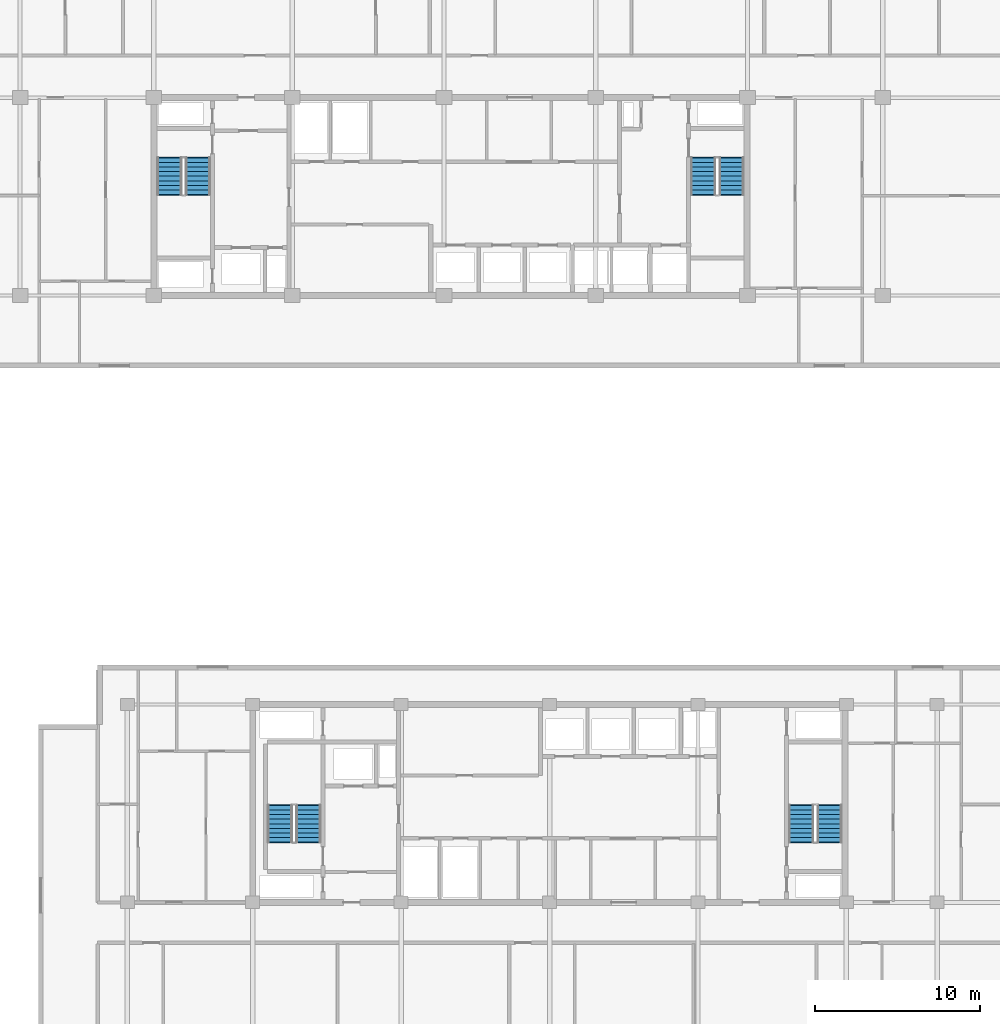
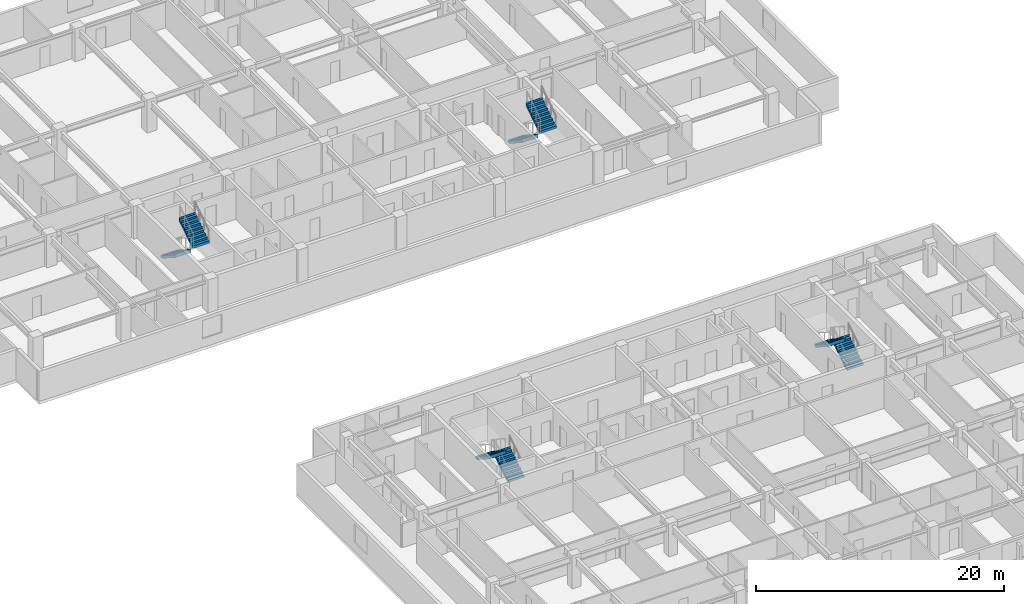
# One storey, part 17 of 22: 8 stair flights, 4 elements without a shape of their own.
"""IFC4 building model written with IfcOpenShell, lengths in metres."""

from ifc_helpers import new_model, si_unit, direction, frame, origin, place, context, subcontext, project, spatial, polyline, outline, extrude, material, type_object, element, aggregate, save


model = new_model("IFC4")

# Units and contexts
model_context = context("Model", 3, precision=1e-05, world=origin(), true_north=direction((0.0, 1.0)))
body_context = subcontext(model_context, "Body", "Model", "MODEL_VIEW")
ifc_project = project(units=[si_unit("LENGTHUNIT", "METRE"), si_unit("AREAUNIT", "SQUARE_METRE"), si_unit("VOLUMEUNIT", "CUBIC_METRE"), si_unit("PLANEANGLEUNIT", "RADIAN"), si_unit("MASSUNIT", "GRAM", prefix="KILO")], contexts=[model_context])

# Site, building, storey
site_placement = place(None, origin())
site = spatial("IfcSite", under=ifc_project, at=site_placement, CompositionType="ELEMENT")
building_placement = place(site_placement, origin())
building = spatial("IfcBuilding", under=site, at=building_placement, Name="Korimba Cascade Residences", CompositionType="ELEMENT")
storey_placement = place(building_placement, frame((0.0, 0.0, 126.300048828125)))
storey = spatial("IfcBuildingStorey", under=building, at=storey_placement, Name="L36", CompositionType="ELEMENT", Elevation=126.300048828125)

# Stair, stair flights
ifc_material = material(Name="Concrete C50/60", Category="concrete")
stair_type_1 = type_object("IfcStairType", Name="STR-W1-18R-1806", PredefinedType="HALF_TURN_STAIR", material=ifc_material)
stair_1_placement = place(storey_placement, origin())
stair_1 = element("IfcStair", 1, at=stair_1_placement, inside=storey, type_object=stair_type_1, Name="L36 Tower 1 West Fire Stair ST-W1", PredefinedType="HALF_TURN_STAIR")
stair_flight_type = type_object("IfcStairFlightType", Name="STF-DL-18R-1806-1520", PredefinedType="STRAIGHT", material=ifc_material)
stair_flight_1_placement = place(storey_placement, frame((77.06005859375, 63.550048828125, 0.0), z_axis=(0.0, 0.0, 1.0), x_axis=(0.0, -1.0, 0.0)))
stair_flight_1 = element("IfcStairFlight", 2, at=stair_flight_1_placement, type_object=stair_flight_type, Name="ST-W1 flight 1", NumberOfRisers=9, NumberOfTreads=8, PredefinedType="STRAIGHT", RiserHeight=0.180555556, TreadLength=0.28, context=body_context, shape_type="SweptSolid", body=[
    extrude(outline(polyline([(-0.0380859375, 0.0), (0.0, 0.1806640625), (0.280029296875, 0.1806640625), (0.280029296875, 0.361083984375), (0.56005859375, 0.361083984375), (0.56005859375, 0.541748046875), (0.840087890625, 0.541748046875), (0.840087890625, 0.72216796875), (1.1201171875, 0.72216796875), (1.1201171875, 0.90283203125), (1.39990234375, 0.90283203125), (1.39990234375, 1.083251953125), (1.679931640625, 1.083251953125), (1.679931640625, 1.263916015625), (1.9599609375, 1.263916015625), (1.9599609375, 1.4443359375), (2.239990234375, 1.4443359375), (2.239990234375, 1.625), (2.278076171875, 1.625), (2.278076171875, 1.26611328125), (0.276611328125, 0.0), (0.276611328125, -0.0380859375), (-0.0380859375, -0.0380859375), (-0.0380859375, 0.0)])), frame((0.0, 0.760009765625, 0.0), z_axis=(0.0, -1.0, 0.0), x_axis=(1.0, 0.0, 0.0)), (0.0, 0.0, 1.0), 1.52001953125),
])
stair_flight_2_placement = place(storey_placement, frame((78.780029296875, 61.31005859375, 1.625), z_axis=(0.0, 0.0, 1.0), x_axis=(0.0, 1.0, 0.0)))
stair_flight_2 = element("IfcStairFlight", 3, at=stair_flight_2_placement, type_object=stair_flight_type, Name="ST-W1 flight 2", NumberOfRisers=9, NumberOfTreads=8, PredefinedType="STRAIGHT", RiserHeight=0.180555556, TreadLength=0.28, context=body_context, shape_type="SweptSolid", body=[
    extrude(outline(polyline([(-0.0380859375, 0.0), (0.0, 0.1806640625), (0.280029296875, 0.1806640625), (0.280029296875, 0.361083984375), (0.56005859375, 0.361083984375), (0.56005859375, 0.541748046875), (0.840087890625, 0.541748046875), (0.840087890625, 0.72216796875), (1.1201171875, 0.72216796875), (1.1201171875, 0.90283203125), (1.39990234375, 0.90283203125), (1.39990234375, 1.083251953125), (1.679931640625, 1.083251953125), (1.679931640625, 1.263916015625), (1.9599609375, 1.263916015625), (1.9599609375, 1.4443359375), (2.239990234375, 1.4443359375), (2.239990234375, 1.625), (2.278076171875, 1.625), (2.278076171875, 1.26611328125), (0.276611328125, 0.0), (0.276611328125, -0.0380859375), (-0.0380859375, -0.0380859375), (-0.0380859375, 0.0)])), frame((0.0, 0.760009765625, 0.0), z_axis=(0.0, -1.0, 0.0), x_axis=(1.0, 0.0, 0.0)), (0.0, 0.0, 1.0), 1.52001953125),
])
aggregate(stair_1, [stair_flight_1, stair_flight_2])

stair_type_2 = type_object("IfcStairType", Name="STR-W2-18R-1806", PredefinedType="HALF_TURN_STAIR", material=ifc_material)
stair_2_placement = place(storey_placement, origin())
stair_2 = element("IfcStair", 4, at=stair_2_placement, inside=storey, type_object=stair_type_2, Name="L36 Tower 1 East Fire Stair ST-W2", PredefinedType="HALF_TURN_STAIR")
stair_flight_3_placement = place(storey_placement, frame((109.419921875, 63.550048828125, 0.0), z_axis=(0.0, 0.0, 1.0), x_axis=(0.0, -1.0, 0.0)))
stair_flight_3 = element("IfcStairFlight", 5, at=stair_flight_3_placement, type_object=stair_flight_type, Name="ST-W2 flight 1", NumberOfRisers=9, NumberOfTreads=8, PredefinedType="STRAIGHT", RiserHeight=0.180555556, TreadLength=0.28, context=body_context, shape_type="SweptSolid", body=[
    extrude(outline(polyline([(-0.0380859375, 0.0), (0.0, 0.1806640625), (0.280029296875, 0.1806640625), (0.280029296875, 0.361083984375), (0.56005859375, 0.361083984375), (0.56005859375, 0.541748046875), (0.840087890625, 0.541748046875), (0.840087890625, 0.72216796875), (1.1201171875, 0.72216796875), (1.1201171875, 0.90283203125), (1.39990234375, 0.90283203125), (1.39990234375, 1.083251953125), (1.679931640625, 1.083251953125), (1.679931640625, 1.263916015625), (1.9599609375, 1.263916015625), (1.9599609375, 1.4443359375), (2.239990234375, 1.4443359375), (2.239990234375, 1.625), (2.278076171875, 1.625), (2.278076171875, 1.26611328125), (0.276611328125, 0.0), (0.276611328125, -0.0380859375), (-0.0380859375, -0.0380859375), (-0.0380859375, 0.0)])), frame((0.0, 0.760009765625, 0.0), z_axis=(0.0, -1.0, 0.0), x_axis=(1.0, 0.0, 0.0)), (0.0, 0.0, 1.0), 1.52001953125),
])
stair_flight_4_placement = place(storey_placement, frame((111.139892578125, 61.31005859375, 1.625), z_axis=(0.0, 0.0, 1.0), x_axis=(0.0, 1.0, 0.0)))
stair_flight_4 = element("IfcStairFlight", 6, at=stair_flight_4_placement, type_object=stair_flight_type, Name="ST-W2 flight 2", NumberOfRisers=9, NumberOfTreads=8, PredefinedType="STRAIGHT", RiserHeight=0.180555556, TreadLength=0.28, context=body_context, shape_type="SweptSolid", body=[
    extrude(outline(polyline([(-0.0380859375, 0.0), (0.0, 0.1806640625), (0.280029296875, 0.1806640625), (0.280029296875, 0.361083984375), (0.56005859375, 0.361083984375), (0.56005859375, 0.541748046875), (0.840087890625, 0.541748046875), (0.840087890625, 0.72216796875), (1.1201171875, 0.72216796875), (1.1201171875, 0.90283203125), (1.39990234375, 0.90283203125), (1.39990234375, 1.083251953125), (1.679931640625, 1.083251953125), (1.679931640625, 1.263916015625), (1.9599609375, 1.263916015625), (1.9599609375, 1.4443359375), (2.239990234375, 1.4443359375), (2.239990234375, 1.625), (2.278076171875, 1.625), (2.278076171875, 1.26611328125), (0.276611328125, 0.0), (0.276611328125, -0.0380859375), (-0.0380859375, -0.0380859375), (-0.0380859375, 0.0)])), frame((0.0, 0.760009765625, 0.0), z_axis=(0.0, -1.0, 0.0), x_axis=(1.0, 0.0, 0.0)), (0.0, 0.0, 1.0), 1.52001953125),
])
aggregate(stair_2, [stair_flight_3, stair_flight_4])

stair_type_3 = type_object("IfcStairType", Name="STR-E1-18R-1806", PredefinedType="HALF_TURN_STAIR", material=ifc_material)
stair_3_placement = place(storey_placement, origin())
stair_3 = element("IfcStair", 7, at=stair_3_placement, inside=storey, type_object=stair_type_3, Name="L36 Tower 2 West Fire Stair ST-E1", PredefinedType="HALF_TURN_STAIR")
stair_flight_5_placement = place(storey_placement, frame((85.47998046875, 22.050048828125, 0.0), z_axis=(0.0, 0.0, 1.0), x_axis=(0.0, 1.0, 0.0)))
stair_flight_5 = element("IfcStairFlight", 8, at=stair_flight_5_placement, type_object=stair_flight_type, Name="ST-E1 flight 1", NumberOfRisers=9, NumberOfTreads=8, PredefinedType="STRAIGHT", RiserHeight=0.180555556, TreadLength=0.28, context=body_context, shape_type="SweptSolid", body=[
    extrude(outline(polyline([(-0.0380859375, 0.0), (0.0, 0.1806640625), (0.280029296875, 0.1806640625), (0.280029296875, 0.361083984375), (0.56005859375, 0.361083984375), (0.56005859375, 0.541748046875), (0.840087890625, 0.541748046875), (0.840087890625, 0.72216796875), (1.1201171875, 0.72216796875), (1.1201171875, 0.90283203125), (1.39990234375, 0.90283203125), (1.39990234375, 1.083251953125), (1.679931640625, 1.083251953125), (1.679931640625, 1.263916015625), (1.9599609375, 1.263916015625), (1.9599609375, 1.4443359375), (2.239990234375, 1.4443359375), (2.239990234375, 1.625), (2.278076171875, 1.625), (2.278076171875, 1.26611328125), (0.276611328125, 0.0), (0.276611328125, -0.0380859375), (-0.0380859375, -0.0380859375), (-0.0380859375, 0.0)])), frame((0.0, 0.760009765625, 0.0), z_axis=(0.0, -1.0, 0.0), x_axis=(1.0, 0.0, 0.0)), (0.0, 0.0, 1.0), 1.52001953125),
])
stair_flight_6_placement = place(storey_placement, frame((83.760009765625, 24.2900390625, 1.625), z_axis=(0.0, 0.0, 1.0), x_axis=(0.0, -1.0, 0.0)))
stair_flight_6 = element("IfcStairFlight", 9, at=stair_flight_6_placement, type_object=stair_flight_type, Name="ST-E1 flight 2", NumberOfRisers=9, NumberOfTreads=8, PredefinedType="STRAIGHT", RiserHeight=0.180555556, TreadLength=0.28, context=body_context, shape_type="SweptSolid", body=[
    extrude(outline(polyline([(-0.0380859375, 0.0), (0.0, 0.1806640625), (0.280029296875, 0.1806640625), (0.280029296875, 0.361083984375), (0.56005859375, 0.361083984375), (0.56005859375, 0.541748046875), (0.840087890625, 0.541748046875), (0.840087890625, 0.72216796875), (1.1201171875, 0.72216796875), (1.1201171875, 0.90283203125), (1.39990234375, 0.90283203125), (1.39990234375, 1.083251953125), (1.679931640625, 1.083251953125), (1.679931640625, 1.263916015625), (1.9599609375, 1.263916015625), (1.9599609375, 1.4443359375), (2.239990234375, 1.4443359375), (2.239990234375, 1.625), (2.278076171875, 1.625), (2.278076171875, 1.26611328125), (0.276611328125, 0.0), (0.276611328125, -0.0380859375), (-0.0380859375, -0.0380859375), (-0.0380859375, 0.0)])), frame((0.0, 0.760009765625, 0.0), z_axis=(0.0, -1.0, 0.0), x_axis=(1.0, 0.0, 0.0)), (0.0, 0.0, 1.0), 1.52001953125),
])
aggregate(stair_3, [stair_flight_5, stair_flight_6])

stair_type_4 = type_object("IfcStairType", Name="STR-E2-18R-1806", PredefinedType="HALF_TURN_STAIR", material=ifc_material)
stair_4_placement = place(storey_placement, origin())
stair_4 = element("IfcStair", 10, at=stair_4_placement, inside=storey, type_object=stair_type_4, Name="L36 Tower 2 East Fire Stair ST-E2", PredefinedType="HALF_TURN_STAIR")
stair_flight_7_placement = place(storey_placement, frame((117.080078125, 22.050048828125, 0.0), z_axis=(0.0, 0.0, 1.0), x_axis=(0.0, 1.0, 0.0)))
stair_flight_7 = element("IfcStairFlight", 11, at=stair_flight_7_placement, type_object=stair_flight_type, Name="ST-E2 flight 1", NumberOfRisers=9, NumberOfTreads=8, PredefinedType="STRAIGHT", RiserHeight=0.180555556, TreadLength=0.28, context=body_context, shape_type="SweptSolid", body=[
    extrude(outline(polyline([(-0.0380859375, 0.0), (0.0, 0.1806640625), (0.280029296875, 0.1806640625), (0.280029296875, 0.361083984375), (0.56005859375, 0.361083984375), (0.56005859375, 0.541748046875), (0.840087890625, 0.541748046875), (0.840087890625, 0.72216796875), (1.1201171875, 0.72216796875), (1.1201171875, 0.90283203125), (1.39990234375, 0.90283203125), (1.39990234375, 1.083251953125), (1.679931640625, 1.083251953125), (1.679931640625, 1.263916015625), (1.9599609375, 1.263916015625), (1.9599609375, 1.4443359375), (2.239990234375, 1.4443359375), (2.239990234375, 1.625), (2.278076171875, 1.625), (2.278076171875, 1.26611328125), (0.276611328125, 0.0), (0.276611328125, -0.0380859375), (-0.0380859375, -0.0380859375), (-0.0380859375, 0.0)])), frame((0.0, 0.760009765625, 0.0), z_axis=(0.0, -1.0, 0.0), x_axis=(1.0, 0.0, 0.0)), (0.0, 0.0, 1.0), 1.52001953125),
])
stair_flight_8_placement = place(storey_placement, frame((115.360107421875, 24.2900390625, 1.625), z_axis=(0.0, 0.0, 1.0), x_axis=(0.0, -1.0, 0.0)))
stair_flight_8 = element("IfcStairFlight", 12, at=stair_flight_8_placement, type_object=stair_flight_type, Name="ST-E2 flight 2", NumberOfRisers=9, NumberOfTreads=8, PredefinedType="STRAIGHT", RiserHeight=0.180555556, TreadLength=0.28, context=body_context, shape_type="SweptSolid", body=[
    extrude(outline(polyline([(-0.0380859375, 0.0), (0.0, 0.1806640625), (0.280029296875, 0.1806640625), (0.280029296875, 0.361083984375), (0.56005859375, 0.361083984375), (0.56005859375, 0.541748046875), (0.840087890625, 0.541748046875), (0.840087890625, 0.72216796875), (1.1201171875, 0.72216796875), (1.1201171875, 0.90283203125), (1.39990234375, 0.90283203125), (1.39990234375, 1.083251953125), (1.679931640625, 1.083251953125), (1.679931640625, 1.263916015625), (1.9599609375, 1.263916015625), (1.9599609375, 1.4443359375), (2.239990234375, 1.4443359375), (2.239990234375, 1.625), (2.278076171875, 1.625), (2.278076171875, 1.26611328125), (0.276611328125, 0.0), (0.276611328125, -0.0380859375), (-0.0380859375, -0.0380859375), (-0.0380859375, 0.0)])), frame((0.0, 0.760009765625, 0.0), z_axis=(0.0, -1.0, 0.0), x_axis=(1.0, 0.0, 0.0)), (0.0, 0.0, 1.0), 1.52001953125),
])
aggregate(stair_4, [stair_flight_7, stair_flight_8])

save(model, "model.ifc")
